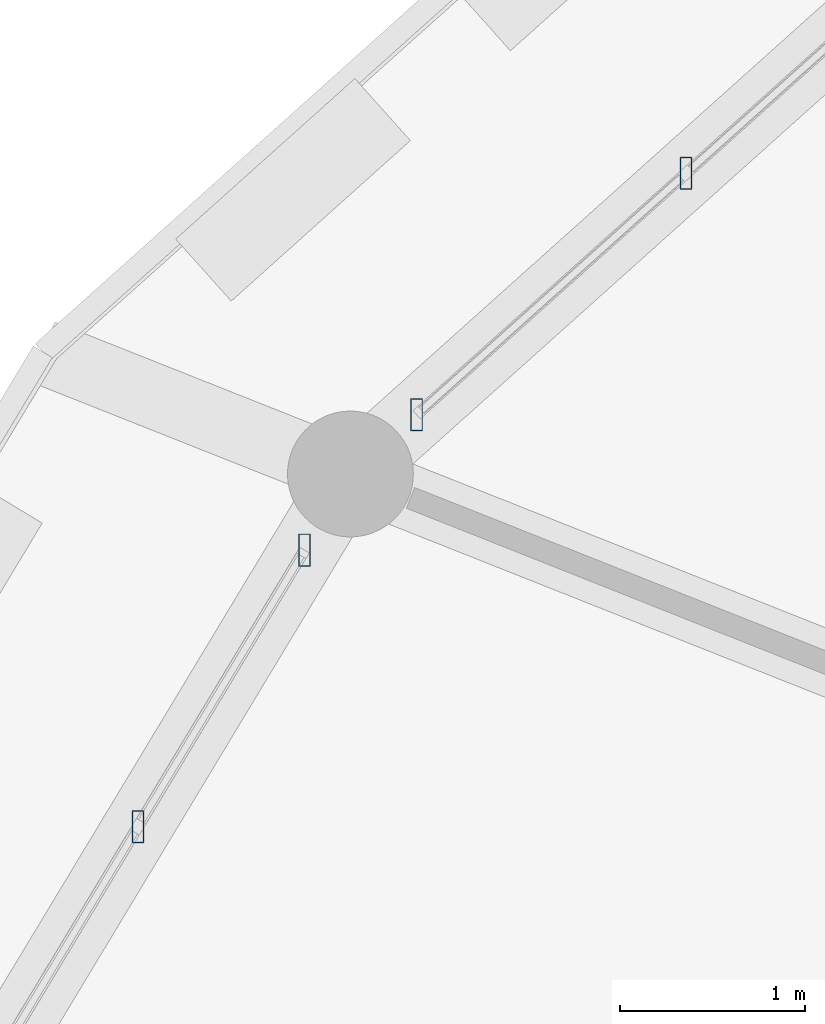
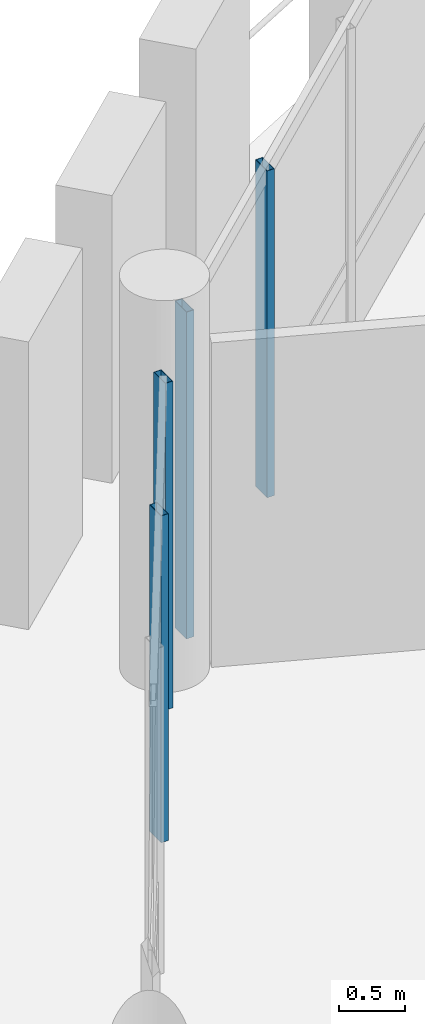
# One storey, part 64 of 128: 4 members, 2 elements without a shape of their own.
"""IFC4 building model written with IfcOpenShell, lengths in metres."""

import ifcopenshell
import ifcopenshell.guid

model = None  # the IFC model being written
_history = None  # IfcOwnerHistory: only IFC2X3 demands one
_inside = {}  # id of a spatial element -> (the spatial element, [elements in it])
_under = {}  # id of a project, library or spatial element -> (it, [spatial elements below it])
_declared = {}  # id of a project -> (the project, [libraries it declares])
_typed = {}  # id of a type object -> (the type object, [elements of that type])
_made_of = {}  # id of a material, layer set ... -> (it, [elements and type objects made of it])


def new_model(schema):
    """Start an empty IFC model of exactly this schema.

    Asked for "IFC4X3", IfcOpenShell would pick the latest addendum, in which some entities
    have other attributes; the version numbers below select the first issue.
    IFC2X3 requires an IfcOwnerHistory on every rooted entity: one is made here for all.
    """
    global model, _history
    if schema == "IFC4X3":
        model = ifcopenshell.file(schema_version=(4, 3, 0, 0))
    else:
        model = ifcopenshell.file(schema=schema)
    _inside.clear()
    _under.clear()
    _declared.clear()
    _typed.clear()
    _made_of.clear()
    _history = None
    if model.schema == "IFC2X3":
        org = make("IfcOrganization", Name="unknown")
        user = make(
            "IfcPersonAndOrganization",
            ThePerson=make("IfcPerson", FamilyName="unknown"),
            TheOrganization=org,
        )
        app = make(
            "IfcApplication",
            ApplicationDeveloper=org,
            Version="unknown",
            ApplicationFullName="unknown",
            ApplicationIdentifier="unknown",
        )
        _history = make(
            "IfcOwnerHistory",
            OwningUser=user,
            OwningApplication=app,
            ChangeAction="ADDED",
            CreationDate=0,
        )
    return model


def make(cls, **values):
    """One entity of the class cls with the attributes given. An attribute that is None is left unset."""
    return model.create_entity(
        cls, **{name: value for name, value in values.items() if value is not None}
    )


def rooted(cls, **values):
    """An entity with a GlobalId (a new one), such as an element, a storey or a relation."""
    return make(cls, GlobalId=ifcopenshell.guid.new(), OwnerHistory=_history, **values)


def si_unit(unit_type, name, prefix=None):
    """IfcSIUnit, for example si_unit("LENGTHUNIT", "METRE", prefix="MILLI")."""
    return make("IfcSIUnit", UnitType=unit_type, Prefix=prefix, Name=name)


def assignment(units):
    """IfcUnitAssignment: the units of a project."""
    return None if units is None else make("IfcUnitAssignment", Units=units)


def point(xyz):
    """IfcCartesianPoint."""
    return None if xyz is None else make("IfcCartesianPoint", Coordinates=xyz)


def direction(xyz):
    """IfcDirection."""
    return None if xyz is None else make("IfcDirection", DirectionRatios=xyz)


def frame(location, z_axis=None, x_axis=None):
    """IfcAxis2Placement3D, a coordinate frame: its origin and axes. An axis left out is left unset."""
    return make(
        "IfcAxis2Placement3D",
        Location=point(location),
        Axis=direction(z_axis),
        RefDirection=direction(x_axis),
    )


def frame_2d(location, x_axis=None):
    """IfcAxis2Placement2D, a coordinate frame in the plane: its origin and x axis."""
    return make(
        "IfcAxis2Placement2D", Location=point(location), RefDirection=direction(x_axis)
    )


def origin():
    """The frame at (0, 0, 0) with its axes left unset."""
    return frame((0.0, 0.0, 0.0))


def origin_2d():
    """The frame at (0, 0) in the plane with its x axis left unset."""
    return frame_2d((0.0, 0.0))


def place(relative_to, where):
    """IfcLocalPlacement: puts the frame where relative to a parent placement (None: the world)."""
    return make(
        "IfcLocalPlacement", PlacementRelTo=relative_to, RelativePlacement=where
    )


def context(
    kind, dimensions, precision=None, world=None, true_north=None, identifier=None
):
    """IfcGeometricRepresentationContext, for example the 3D "Model" context."""
    return make(
        "IfcGeometricRepresentationContext",
        ContextIdentifier=identifier,
        ContextType=kind,
        CoordinateSpaceDimension=dimensions,
        Precision=precision,
        WorldCoordinateSystem=world,
        TrueNorth=true_north,
    )


def subcontext(parent, identifier, kind, view, scale=None):
    """IfcGeometricRepresentationSubContext, for example "Body" below "Model"."""
    return make(
        "IfcGeometricRepresentationSubContext",
        ContextIdentifier=identifier,
        ContextType=kind,
        ParentContext=parent,
        TargetScale=scale,
        TargetView=view,
    )


def project(units=None, contexts=None):
    """IfcProject with its units and contexts."""
    return rooted(
        "IfcProject",
        Name="project",
        RepresentationContexts=contexts,
        UnitsInContext=assignment(units),
    )


def spatial(cls, under=None, at=None, **own):
    """A site, building, storey or space (cls), placed at a placement, below another one or the project."""
    s = rooted(cls, ObjectPlacement=at, **own)
    if under is not None:
        _under.setdefault(under.id(), (under, []))[1].append(s)
    return s


def profile(cls, at=None, kind="AREA", **sizes):
    """A parametric profile (cls). Its sizes go by their IFC names, for example OverallWidth=200.0."""
    return make(cls, ProfileType=kind, Position=at, **sizes)


def hollow_rectangle(**sizes):
    """IfcRectangleHollowProfileDef."""
    return profile("IfcRectangleHollowProfileDef", **sizes)


def extrude(swept, where, along, depth):
    """IfcExtrudedAreaSolid: the profile swept, set in the frame where, extruded along a direction by depth."""
    return make(
        "IfcExtrudedAreaSolid",
        SweptArea=swept,
        Position=where,
        ExtrudedDirection=direction(along),
        Depth=depth,
    )


def shape(context_of_items, identifier, shape_type, items):
    """IfcShapeRepresentation: the items that make up one representation, for example the "Body"."""
    return make(
        "IfcShapeRepresentation",
        ContextOfItems=context_of_items,
        RepresentationIdentifier=identifier,
        RepresentationType=shape_type,
        Items=items,
    )


def material(Name=None, Category=None):
    """IfcMaterial."""
    return make("IfcMaterial", Name=Name, Category=Category)


def material_profile(
    of_material, cross_section, Name=None, Category=None, Priority=None
):
    """IfcMaterialProfile: a cross section and its material."""
    return make(
        "IfcMaterialProfile",
        Name=Name,
        Material=of_material,
        Profile=cross_section,
        Priority=Priority,
        Category=Category,
    )


def profile_set(profiles, Name=None, composite=None):
    """IfcMaterialProfileSet."""
    return make(
        "IfcMaterialProfileSet",
        Name=Name,
        MaterialProfiles=profiles,
        CompositeProfile=composite,
    )


def made_of(thing, what):
    """Note that an element or type object is made of a material, layer set ...; save() writes the relation."""
    if what is not None:
        _made_of.setdefault(what.id(), (what, []))[1].append(thing)
    return thing


def type_object(cls, material=None, **own):
    """A type object (cls), such as IfcWallType, which elements share."""
    return made_of(rooted(cls, **own), material)


def element(
    cls,
    number,
    at=None,
    inside=None,
    cuts=None,
    type_object=None,
    material=None,
    context=None,
    identifier="Body",
    shape_type=None,
    held_by="IfcProductDefinitionShape",
    body=None,
    shapes=None,
    **own,
):
    """One element of the class cls, such as IfcWall. Its Tag is "e" and its number.

    at: its placement. inside: the storey or other place that contains it. cuts: it is an
    opening in that element (IfcRelVoidsElement). A single representation is given by context,
    identifier, shape_type and body (its items); several are given by shapes. held_by: the class
    of the entity that holds the representations. save() writes the other relations.
    """
    e = rooted(cls, Tag="e%d" % number, ObjectPlacement=at, **own)
    if body is not None:
        shapes = [shape(context, identifier, shape_type, body)]
    if shapes is not None:
        e.Representation = make(held_by, Representations=shapes)
    if inside is not None:
        _inside.setdefault(inside.id(), (inside, []))[1].append(e)
    if cuts is not None:
        rooted(
            "IfcRelVoidsElement", RelatingBuildingElement=cuts, RelatedOpeningElement=e
        )
    if type_object is not None:
        _typed.setdefault(type_object.id(), (type_object, []))[1].append(e)
    return made_of(e, material)


def aggregate(whole, parts):
    """IfcRelAggregates: a whole, such as a stair, and the parts it consists of."""
    return rooted("IfcRelAggregates", RelatingObject=whole, RelatedObjects=parts)


def save(model, path):
    """Write the relations noted so far, then the file.

    IfcRelAggregates (storeys below a building ...), IfcRelContainedInSpatialStructure (elements
    in a storey), IfcRelDefinesByType, IfcRelAssociatesMaterial and IfcRelDeclares: one each for
    every whole, place, type object, material and project.
    """
    for whole, parts in _under.values():
        aggregate(whole, parts)
    for where, things in _inside.values():
        rooted(
            "IfcRelContainedInSpatialStructure",
            RelatedElements=things,
            RelatingStructure=where,
        )
    for kind, things in _typed.values():
        rooted("IfcRelDefinesByType", RelatedObjects=things, RelatingType=kind)
    for what, things in _made_of.values():
        rooted("IfcRelAssociatesMaterial", RelatedObjects=things, RelatingMaterial=what)
    for by, libraries in _declared.values():
        rooted("IfcRelDeclares", RelatingContext=by, RelatedDefinitions=libraries)
    model.write(path)


model = new_model("IFC4")

# Units and contexts
model_context = context("Model", 3, precision=1e-05, world=origin(), true_north=direction((0.0, 1.0)))
body_context = subcontext(model_context, "Body", "Model", "MODEL_VIEW")
ifc_project = project(units=[si_unit("LENGTHUNIT", "METRE"), si_unit("AREAUNIT", "SQUARE_METRE"), si_unit("VOLUMEUNIT", "CUBIC_METRE"), si_unit("PLANEANGLEUNIT", "RADIAN"), si_unit("MASSUNIT", "GRAM", prefix="KILO")], contexts=[model_context])

# Site, building, storey
site_placement = place(None, origin())
site = spatial("IfcSite", under=ifc_project, at=site_placement, CompositionType="ELEMENT")
building_placement = place(site_placement, origin())
building = spatial("IfcBuilding", under=site, at=building_placement, Name="Zornivar Specialist Clinic", CompositionType="ELEMENT")
storey_placement = place(building_placement, frame((0.0, 0.0, 4.5)))
storey = spatial("IfcBuildingStorey", under=building, at=storey_placement, Name="L01", CompositionType="ELEMENT", Elevation=4.5)

# Curtain wall, members
ifc_material_1 = material(Name="Aluminium and Low-E Glass Curtain Wall", Category="aluminium")
curtain_wall_type = type_object("IfcCurtainWallType", Name="CW-DRUM-FACET", PredefinedType="NOTDEFINED", material=ifc_material_1)
curtain_wall_1_placement = place(storey_placement, origin())
curtain_wall_1 = element("IfcCurtainWall", 1, at=curtain_wall_1_placement, inside=storey, type_object=curtain_wall_type, Name="cw:V1:L01:c09", PredefinedType="NOTDEFINED")
ifc_material_2 = material(Name="Aluminium AW-6060", Category="aluminium")
ifc_material_profile = material_profile(ifc_material_2, hollow_rectangle(XDim=0.06494140625, YDim=0.175048828125, WallThickness=0.00439453125, at=origin_2d()), Name="ALU 65x175x4.5")
ifc_profile_set = profile_set([ifc_material_profile], Name="Aluminium AW-6060")
member_type = type_object("IfcMemberType", Name="CWM-MUL-175", PredefinedType="MULLION", material=ifc_profile_set)
member_1_placement = place(storey_placement, frame((67.700927734375, 70.22509765625, 0.0), z_axis=(0.0, 0.0, 1.0), x_axis=(1.0, 0.0, 0.0)))
member_1 = element("IfcMember", 2, at=member_1_placement, type_object=member_type, Name="cw:V1:L01:c09:mul:2", PredefinedType="MULLION", context=body_context, shape_type="SweptSolid", body=[
    extrude(hollow_rectangle(XDim=0.06494140625, YDim=0.175048828125, WallThickness=0.00439453125, at=origin_2d()), origin(), (0.0, 0.0, 1.0), 3.010009765625),
])
member_2_placement = place(storey_placement, frame((66.2451171875, 68.9208984375, 0.0), z_axis=(0.0, 0.0, 1.0), x_axis=(1.0, 0.0, 0.0)))
member_2 = element("IfcMember", 3, at=member_2_placement, type_object=member_type, Name="cw:V1:L01:c09:mul:3", PredefinedType="MULLION", context=body_context, shape_type="SweptSolid", body=[
    extrude(hollow_rectangle(XDim=0.06494140625, YDim=0.175048828125, WallThickness=0.00439453125, at=origin_2d()), origin(), (0.0, 0.0, 1.0), 3.010009765625),
])
aggregate(curtain_wall_1, [member_1, member_2])

curtain_wall_2_placement = place(storey_placement, origin())
curtain_wall_2 = element("IfcCurtainWall", 4, at=curtain_wall_2_placement, inside=storey, type_object=curtain_wall_type, Name="cw:V1:L01:c10", PredefinedType="NOTDEFINED")
member_3_placement = place(storey_placement, frame((65.638916015625, 68.18896484375, 0.0), z_axis=(0.0, 0.0, 1.0), x_axis=(1.0, 0.0, 0.0)))
member_3 = element("IfcMember", 5, at=member_3_placement, type_object=member_type, Name="cw:V1:L01:c10:mul:0", PredefinedType="MULLION", context=body_context, shape_type="SweptSolid", body=[
    extrude(hollow_rectangle(XDim=0.06494140625, YDim=0.175048828125, WallThickness=0.00439453125, at=origin_2d()), origin(), (0.0, 0.0, 1.0), 3.010009765625),
])
member_4_placement = place(storey_placement, frame((64.739013671875, 66.694091796875, 0.0), z_axis=(0.0, 0.0, 1.0), x_axis=(1.0, 0.0, 0.0)))
member_4 = element("IfcMember", 6, at=member_4_placement, type_object=member_type, Name="cw:V1:L01:c10:mul:1", PredefinedType="MULLION", context=body_context, shape_type="SweptSolid", body=[
    extrude(hollow_rectangle(XDim=0.06494140625, YDim=0.175048828125, WallThickness=0.00439453125, at=origin_2d()), origin(), (0.0, 0.0, 1.0), 3.010009765625),
])
aggregate(curtain_wall_2, [member_3, member_4])

save(model, "model.ifc")
